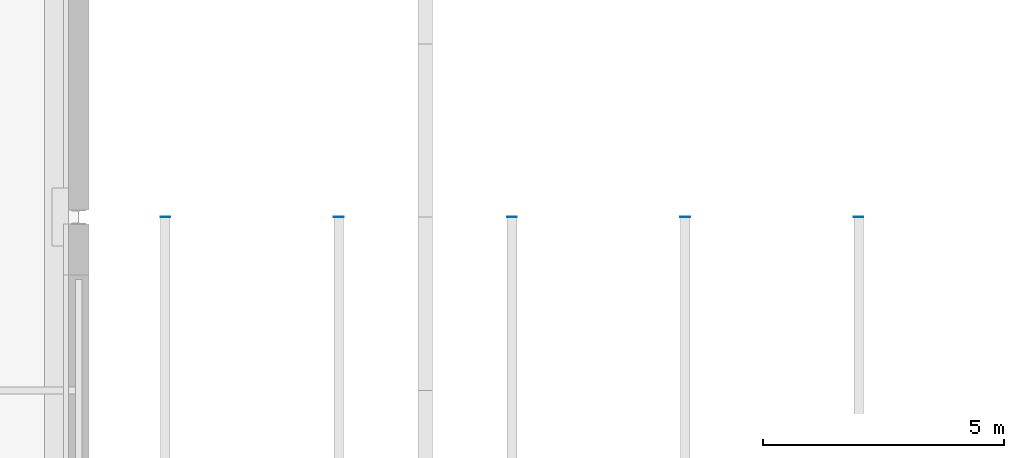
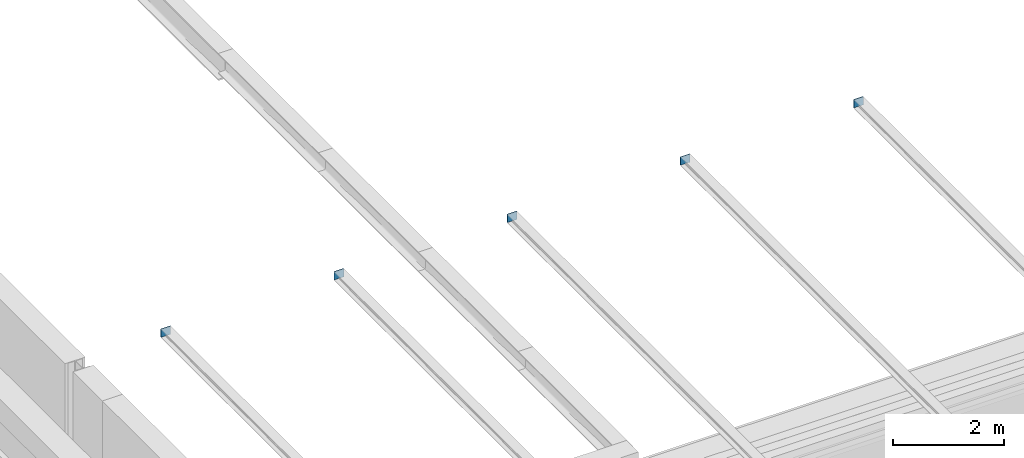
# One storey, part 51 of 110: 5 discrete accessories.
"""IFC4 building model written with IfcOpenShell, lengths in metres."""

from ifc_helpers import new_model, si_unit, direction, frame, origin, origin_2d, place, context, subcontext, project, spatial, rectangle, extrude, material, layer, layer_set, type_object, element, save


model = new_model("IFC4")

# Units and contexts
model_context = context("Model", 3, precision=1e-05, world=origin(), true_north=direction((0.0, 1.0)))
body_context = subcontext(model_context, "Body", "Model", "MODEL_VIEW")
ifc_project = project(units=[si_unit("LENGTHUNIT", "METRE"), si_unit("AREAUNIT", "SQUARE_METRE"), si_unit("VOLUMEUNIT", "CUBIC_METRE"), si_unit("PLANEANGLEUNIT", "RADIAN"), si_unit("MASSUNIT", "GRAM", prefix="KILO")], contexts=[model_context])

# Site, building, storey
site_placement = place(None, origin())
site = spatial("IfcSite", under=ifc_project, at=site_placement, CompositionType="ELEMENT")
building_placement = place(site_placement, origin())
building = spatial("IfcBuilding", under=site, at=building_placement, Name="Kupolbacken Congress Centre", CompositionType="ELEMENT")
storey_placement = place(building_placement, frame((0.0, 0.0, 18.0)))
storey = spatial("IfcBuildingStorey", under=building, at=storey_placement, Name="L05", CompositionType="ELEMENT", Elevation=18.0)

# Discrete accessories
ifc_material = material(Name="Steel S355", Category="steel")
ifc_layer = layer(ifc_material, 0.011962890625)
ifc_layer_set = layer_set([ifc_layer], Name="Steel S355")
discrete_accessory_type = type_object("IfcDiscreteAccessoryType", Name="BK3 bracket end plate 200 x 180 x 12", PredefinedType="BRACKET", material=ifc_layer_set)
for number, where, z_axis, x_axis, name in (
    (1, (88.199951171875, 50.406005859375, 3.60009765625), (0.0, 0.0, 1.0), (1.0, 0.0, 0.0), "Eave bracket end plate S01"),
    (2, (91.800048828125, 50.406005859375, 3.60009765625), (0.0, 0.0, 1.0), (1.0, 0.0, 0.0), "Eave bracket end plate S02"),
    (3, (95.39990234375, 50.406005859375, 3.60009765625), (0.0, 0.0, 1.0), (1.0, 0.0, 0.0), "Eave bracket end plate S03"),
    (4, (99.0, 50.406005859375, 3.60009765625), (0.0, 0.0, 1.0), (1.0, 0.0, 0.0), "Eave bracket end plate S04"),
    (5, (102.60009765625, 50.406005859375, 3.60009765625), (0.0, 0.0, 1.0), (1.0, 0.0, 0.0), "Eave bracket end plate S05"),
):
    element("IfcDiscreteAccessory", number, at=place(storey_placement, frame(where, z_axis=z_axis, x_axis=x_axis)), inside=storey, type_object=discrete_accessory_type, Name=name, PredefinedType="BRACKET", context=body_context, shape_type="SweptSolid", body=[
        extrude(rectangle(XDim=0.199951171875, YDim=0.011962890625, at=origin_2d()), origin(), (0.0, 0.0, 1.0), 0.179931640625),
    ])

save(model, "model.ifc")
